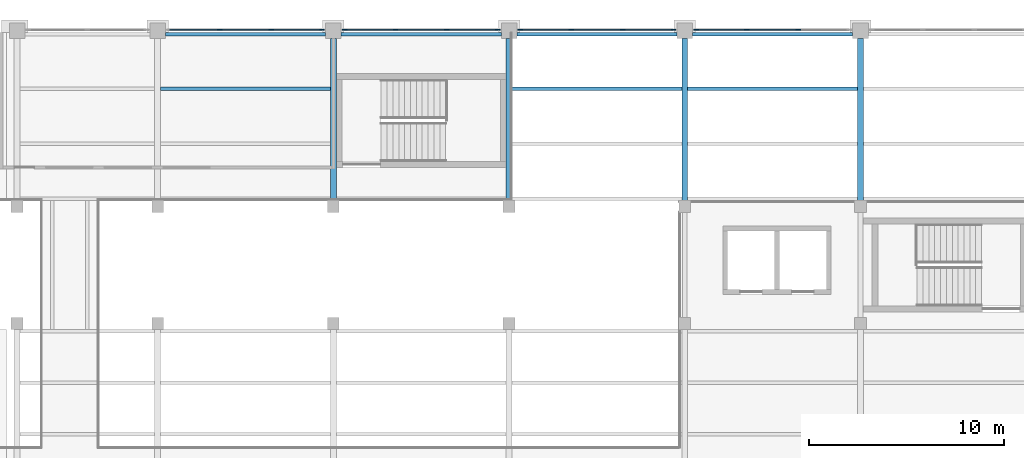
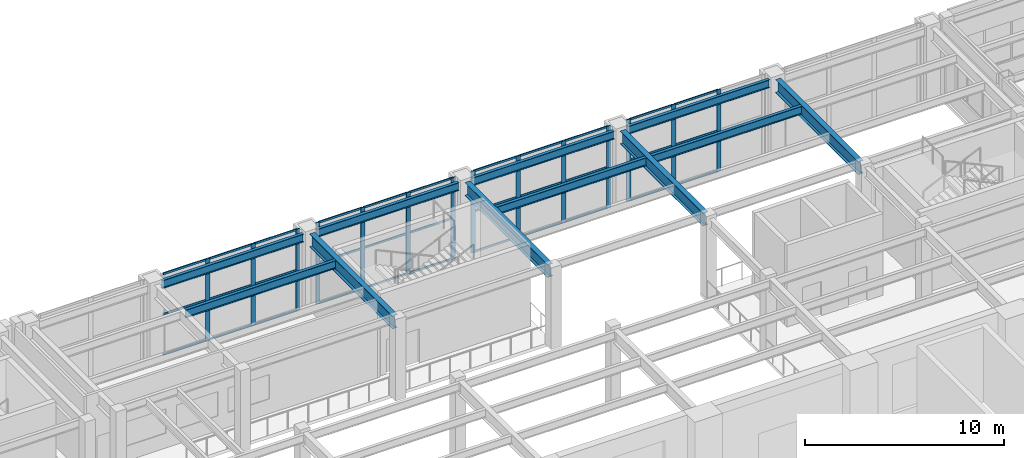
# One storey, part 25 of 76: 47 members, 11 beams, 4 elements without a shape of their own.
"""IFC4 building model written with IfcOpenShell, lengths in metres."""

from ifc_helpers import new_model, si_unit, direction, frame, origin, origin_2d, place, context, subcontext, project, spatial, rectangle, i_section, extrude, material, material_profile, profile_set, type_object, element, aggregate, save


model = new_model("IFC4")

# Units and contexts
model_context = context("Model", 3, precision=1e-05, world=origin(), true_north=direction((0.0, 1.0)))
body_context = subcontext(model_context, "Body", "Model", "MODEL_VIEW")
ifc_project = project(units=[si_unit("LENGTHUNIT", "METRE"), si_unit("AREAUNIT", "SQUARE_METRE"), si_unit("VOLUMEUNIT", "CUBIC_METRE"), si_unit("PLANEANGLEUNIT", "RADIAN"), si_unit("MASSUNIT", "GRAM", prefix="KILO")], contexts=[model_context])

# Site, building, storey
site_placement = place(None, origin())
site = spatial("IfcSite", under=ifc_project, at=site_placement, CompositionType="ELEMENT")
building_placement = place(site_placement, origin())
building = spatial("IfcBuilding", under=site, at=building_placement, Name="Aravalli Gate Trade Fair Centre", CompositionType="ELEMENT")
storey_placement = place(building_placement, frame((0.0, 0.0, 10.0)))
storey = spatial("IfcBuildingStorey", under=building, at=storey_placement, Name="L02", CompositionType="ELEMENT", Elevation=10.0)

# Curtain wall, members
ifc_material_1 = material(Name="Aluminium and glass", Category="aluminium")
curtain_wall_type = type_object("IfcCurtainWallType", Name="Curtain wall 3000 module, tall", PredefinedType="NOTDEFINED", material=ifc_material_1)
curtain_wall_1_placement = place(storey_placement, origin())
curtain_wall_1 = element("IfcCurtainWall", 1, at=curtain_wall_1_placement, inside=storey, type_object=curtain_wall_type, Name="Curtain wall north bay 14 L02", PredefinedType="NOTDEFINED")
ifc_material_2 = material(Name="Aluminium", Category="aluminium")
ifc_material_profile_1 = material_profile(ifc_material_2, rectangle(XDim=0.06005859375, YDim=0.25, at=origin_2d()), Name="Concourse curtain wall mullion 60 x 250")
ifc_profile_set_1 = profile_set([ifc_material_profile_1], Name="Aluminium")
member_type_1 = type_object("IfcMemberType", Name="Concourse curtain wall mullion 60 x 250", PredefinedType="MULLION", material=ifc_profile_set_1)
member_1_placement = place(storey_placement, frame((117.183349609375, 133.044921875, 0.0), z_axis=(0.0, 0.0, 1.0), x_axis=(0.0, 1.0, 0.0)))
member_1 = element("IfcMember", 2, at=member_1_placement, type_object=member_type_1, Name="CW3 mullion 2", PredefinedType="MULLION", context=body_context, shape_type="SweptSolid", body=[
    extrude(rectangle(XDim=0.06005859375, YDim=0.25, at=origin_2d()), origin(), (0.0, 0.0, 1.0), 5.0),
])
member_2_placement = place(storey_placement, frame((119.816650390625, 133.044921875, 0.0), z_axis=(0.0, 0.0, 1.0), x_axis=(0.0, 1.0, 0.0)))
member_2 = element("IfcMember", 3, at=member_2_placement, type_object=member_type_1, Name="CW3 mullion 3", PredefinedType="MULLION", context=body_context, shape_type="SweptSolid", body=[
    extrude(rectangle(XDim=0.06005859375, YDim=0.25, at=origin_2d()), origin(), (0.0, 0.0, 1.0), 5.0),
])
member_3_placement = place(storey_placement, frame((122.419921875, 133.044921875, 0.0), z_axis=(0.0, 0.0, 1.0), x_axis=(0.0, 1.0, 0.0)))
member_3 = element("IfcMember", 4, at=member_3_placement, type_object=member_type_1, Name="CW3 mullion 4", PredefinedType="MULLION", context=body_context, shape_type="SweptSolid", body=[
    extrude(rectangle(XDim=0.06005859375, YDim=0.25, at=origin_2d()), origin(), (0.0, 0.0, 1.0), 5.0),
])

curtain_wall_2_placement = place(storey_placement, origin())
curtain_wall_2 = element("IfcCurtainWall", 5, at=curtain_wall_2_placement, inside=storey, type_object=curtain_wall_type, Name="Curtain wall north bay 15 L02", PredefinedType="NOTDEFINED")
member_4_placement = place(storey_placement, frame((123.580078125, 133.044921875, 0.0), z_axis=(0.0, 0.0, 1.0), x_axis=(0.0, 1.0, 0.0)))
member_4 = element("IfcMember", 6, at=member_4_placement, type_object=member_type_1, Name="CW3 mullion 1", PredefinedType="MULLION", context=body_context, shape_type="SweptSolid", body=[
    extrude(rectangle(XDim=0.06005859375, YDim=0.25, at=origin_2d()), origin(), (0.0, 0.0, 1.0), 5.0),
])
member_5_placement = place(storey_placement, frame((126.183349609375, 133.044921875, 0.0), z_axis=(0.0, 0.0, 1.0), x_axis=(0.0, 1.0, 0.0)))
member_5 = element("IfcMember", 7, at=member_5_placement, type_object=member_type_1, Name="CW3 mullion 2", PredefinedType="MULLION", context=body_context, shape_type="SweptSolid", body=[
    extrude(rectangle(XDim=0.06005859375, YDim=0.25, at=origin_2d()), origin(), (0.0, 0.0, 1.0), 5.0),
])
member_6_placement = place(storey_placement, frame((128.816650390625, 133.044921875, 0.0), z_axis=(0.0, 0.0, 1.0), x_axis=(0.0, 1.0, 0.0)))
member_6 = element("IfcMember", 8, at=member_6_placement, type_object=member_type_1, Name="CW3 mullion 3", PredefinedType="MULLION", context=body_context, shape_type="SweptSolid", body=[
    extrude(rectangle(XDim=0.06005859375, YDim=0.25, at=origin_2d()), origin(), (0.0, 0.0, 1.0), 5.0),
])
member_7_placement = place(storey_placement, frame((131.419921875, 133.044921875, 0.0), z_axis=(0.0, 0.0, 1.0), x_axis=(0.0, 1.0, 0.0)))
member_7 = element("IfcMember", 9, at=member_7_placement, type_object=member_type_1, Name="CW3 mullion 4", PredefinedType="MULLION", context=body_context, shape_type="SweptSolid", body=[
    extrude(rectangle(XDim=0.06005859375, YDim=0.25, at=origin_2d()), origin(), (0.0, 0.0, 1.0), 5.0),
])

curtain_wall_3_placement = place(storey_placement, origin())
curtain_wall_3 = element("IfcCurtainWall", 10, at=curtain_wall_3_placement, inside=storey, type_object=curtain_wall_type, Name="Curtain wall north bay 16 L02", PredefinedType="NOTDEFINED")
member_8_placement = place(storey_placement, frame((132.580078125, 133.044921875, 0.0), z_axis=(0.0, 0.0, 1.0), x_axis=(0.0, 1.0, 0.0)))
member_8 = element("IfcMember", 11, at=member_8_placement, type_object=member_type_1, Name="CW3 mullion 1", PredefinedType="MULLION", context=body_context, shape_type="SweptSolid", body=[
    extrude(rectangle(XDim=0.06005859375, YDim=0.25, at=origin_2d()), origin(), (0.0, 0.0, 1.0), 5.0),
])
member_9_placement = place(storey_placement, frame((135.183349609375, 133.044921875, 0.0), z_axis=(0.0, 0.0, 1.0), x_axis=(0.0, 1.0, 0.0)))
member_9 = element("IfcMember", 12, at=member_9_placement, type_object=member_type_1, Name="CW3 mullion 2", PredefinedType="MULLION", context=body_context, shape_type="SweptSolid", body=[
    extrude(rectangle(XDim=0.06005859375, YDim=0.25, at=origin_2d()), origin(), (0.0, 0.0, 1.0), 5.0),
])
member_10_placement = place(storey_placement, frame((137.816650390625, 133.044921875, 0.0), z_axis=(0.0, 0.0, 1.0), x_axis=(0.0, 1.0, 0.0)))
member_10 = element("IfcMember", 13, at=member_10_placement, type_object=member_type_1, Name="CW3 mullion 3", PredefinedType="MULLION", context=body_context, shape_type="SweptSolid", body=[
    extrude(rectangle(XDim=0.06005859375, YDim=0.25, at=origin_2d()), origin(), (0.0, 0.0, 1.0), 5.0),
])
member_11_placement = place(storey_placement, frame((140.419921875, 133.044921875, 0.0), z_axis=(0.0, 0.0, 1.0), x_axis=(0.0, 1.0, 0.0)))
member_11 = element("IfcMember", 14, at=member_11_placement, type_object=member_type_1, Name="CW3 mullion 4", PredefinedType="MULLION", context=body_context, shape_type="SweptSolid", body=[
    extrude(rectangle(XDim=0.06005859375, YDim=0.25, at=origin_2d()), origin(), (0.0, 0.0, 1.0), 5.0),
])

curtain_wall_4_placement = place(storey_placement, origin())
curtain_wall_4 = element("IfcCurtainWall", 15, at=curtain_wall_4_placement, inside=storey, type_object=curtain_wall_type, Name="Curtain wall north bay 17 L02", PredefinedType="NOTDEFINED")
member_12_placement = place(storey_placement, frame((141.580078125, 133.044921875, 0.0), z_axis=(0.0, 0.0, 1.0), x_axis=(0.0, 1.0, 0.0)))
member_12 = element("IfcMember", 16, at=member_12_placement, type_object=member_type_1, Name="CW3 mullion 1", PredefinedType="MULLION", context=body_context, shape_type="SweptSolid", body=[
    extrude(rectangle(XDim=0.06005859375, YDim=0.25, at=origin_2d()), origin(), (0.0, 0.0, 1.0), 5.0),
])
member_13_placement = place(storey_placement, frame((144.183349609375, 133.044921875, 0.0), z_axis=(0.0, 0.0, 1.0), x_axis=(0.0, 1.0, 0.0)))
member_13 = element("IfcMember", 17, at=member_13_placement, type_object=member_type_1, Name="CW3 mullion 2", PredefinedType="MULLION", context=body_context, shape_type="SweptSolid", body=[
    extrude(rectangle(XDim=0.06005859375, YDim=0.25, at=origin_2d()), origin(), (0.0, 0.0, 1.0), 5.0),
])
member_14_placement = place(storey_placement, frame((146.816650390625, 133.044921875, 0.0), z_axis=(0.0, 0.0, 1.0), x_axis=(0.0, 1.0, 0.0)))
member_14 = element("IfcMember", 18, at=member_14_placement, type_object=member_type_1, Name="CW3 mullion 3", PredefinedType="MULLION", context=body_context, shape_type="SweptSolid", body=[
    extrude(rectangle(XDim=0.06005859375, YDim=0.25, at=origin_2d()), origin(), (0.0, 0.0, 1.0), 5.0),
])

# Member
ifc_material_profile_2 = material_profile(ifc_material_2, rectangle(XDim=0.06005859375, YDim=0.1201171875, at=origin_2d()), Name="Concourse curtain wall transom 60 x 120")
ifc_profile_set_2 = profile_set([ifc_material_profile_2], Name="Aluminium")
member_type_2 = type_object("IfcMemberType", Name="Concourse curtain wall transom 60 x 120", PredefinedType="USERDEFINED", material=ifc_profile_set_2)
member_15_placement = place(storey_placement, frame((114.610107421875, 133.044921875, 0.030029296875), z_axis=(1.0, 0.0, 0.0), x_axis=(0.0, 1.0, 0.0)))
member_15 = element("IfcMember", 19, at=member_15_placement, type_object=member_type_2, Name="CW3 transom 1.1", ObjectType="TRANSOM", PredefinedType="USERDEFINED", context=body_context, shape_type="SweptSolid", body=[
    extrude(rectangle(XDim=0.06005859375, YDim=0.1201171875, at=origin_2d()), origin(), (0.0, 0.0, 1.0), 2.543212890625),
])

member_16_placement = place(storey_placement, frame((114.610107421875, 133.044921875, 2.5), z_axis=(1.0, 0.0, 0.0), x_axis=(0.0, 1.0, 0.0)))
member_16 = element("IfcMember", 20, at=member_16_placement, type_object=member_type_2, Name="CW3 transom 1.2", ObjectType="TRANSOM", PredefinedType="USERDEFINED", context=body_context, shape_type="SweptSolid", body=[
    extrude(rectangle(XDim=0.06005859375, YDim=0.1201171875, at=origin_2d()), origin(), (0.0, 0.0, 1.0), 2.543212890625),
])

member_17_placement = place(storey_placement, frame((114.610107421875, 133.044921875, 4.969970703125), z_axis=(1.0, 0.0, 0.0), x_axis=(0.0, 1.0, 0.0)))
member_17 = element("IfcMember", 21, at=member_17_placement, type_object=member_type_2, Name="CW3 transom 1.3", ObjectType="TRANSOM", PredefinedType="USERDEFINED", context=body_context, shape_type="SweptSolid", body=[
    extrude(rectangle(XDim=0.06005859375, YDim=0.1201171875, at=origin_2d()), origin(), (0.0, 0.0, 1.0), 2.543212890625),
])

member_18_placement = place(storey_placement, frame((117.21337890625, 133.044921875, 0.030029296875), z_axis=(1.0, 0.0, 0.0), x_axis=(0.0, 1.0, 0.0)))
member_18 = element("IfcMember", 22, at=member_18_placement, type_object=member_type_2, Name="CW3 transom 2.1", ObjectType="TRANSOM", PredefinedType="USERDEFINED", context=body_context, shape_type="SweptSolid", body=[
    extrude(rectangle(XDim=0.06005859375, YDim=0.1201171875, at=origin_2d()), origin(), (0.0, 0.0, 1.0), 2.5732421875),
])

member_19_placement = place(storey_placement, frame((117.21337890625, 133.044921875, 2.5), z_axis=(1.0, 0.0, 0.0), x_axis=(0.0, 1.0, 0.0)))
member_19 = element("IfcMember", 23, at=member_19_placement, type_object=member_type_2, Name="CW3 transom 2.2", ObjectType="TRANSOM", PredefinedType="USERDEFINED", context=body_context, shape_type="SweptSolid", body=[
    extrude(rectangle(XDim=0.06005859375, YDim=0.1201171875, at=origin_2d()), origin(), (0.0, 0.0, 1.0), 2.5732421875),
])

member_20_placement = place(storey_placement, frame((117.21337890625, 133.044921875, 4.969970703125), z_axis=(1.0, 0.0, 0.0), x_axis=(0.0, 1.0, 0.0)))
member_20 = element("IfcMember", 24, at=member_20_placement, type_object=member_type_2, Name="CW3 transom 2.3", ObjectType="TRANSOM", PredefinedType="USERDEFINED", context=body_context, shape_type="SweptSolid", body=[
    extrude(rectangle(XDim=0.06005859375, YDim=0.1201171875, at=origin_2d()), origin(), (0.0, 0.0, 1.0), 2.5732421875),
])

member_21_placement = place(storey_placement, frame((119.8466796875, 133.044921875, 0.030029296875), z_axis=(1.0, 0.0, 0.0), x_axis=(0.0, 1.0, 0.0)))
member_21 = element("IfcMember", 25, at=member_21_placement, type_object=member_type_2, Name="CW3 transom 3.1", ObjectType="TRANSOM", PredefinedType="USERDEFINED", context=body_context, shape_type="SweptSolid", body=[
    extrude(rectangle(XDim=0.06005859375, YDim=0.1201171875, at=origin_2d()), origin(), (0.0, 0.0, 1.0), 2.543212890625),
])

member_22_placement = place(storey_placement, frame((119.8466796875, 133.044921875, 2.5), z_axis=(1.0, 0.0, 0.0), x_axis=(0.0, 1.0, 0.0)))
member_22 = element("IfcMember", 26, at=member_22_placement, type_object=member_type_2, Name="CW3 transom 3.2", ObjectType="TRANSOM", PredefinedType="USERDEFINED", context=body_context, shape_type="SweptSolid", body=[
    extrude(rectangle(XDim=0.06005859375, YDim=0.1201171875, at=origin_2d()), origin(), (0.0, 0.0, 1.0), 2.543212890625),
])

member_23_placement = place(storey_placement, frame((119.8466796875, 133.044921875, 4.969970703125), z_axis=(1.0, 0.0, 0.0), x_axis=(0.0, 1.0, 0.0)))
member_23 = element("IfcMember", 27, at=member_23_placement, type_object=member_type_2, Name="CW3 transom 3.3", ObjectType="TRANSOM", PredefinedType="USERDEFINED", context=body_context, shape_type="SweptSolid", body=[
    extrude(rectangle(XDim=0.06005859375, YDim=0.1201171875, at=origin_2d()), origin(), (0.0, 0.0, 1.0), 2.543212890625),
])

aggregate(curtain_wall_1, [member_1, member_2, member_3, member_15, member_16, member_17, member_18, member_19, member_20, member_21, member_22, member_23])

member_24_placement = place(storey_placement, frame((123.610107421875, 133.044921875, 0.030029296875), z_axis=(1.0, 0.0, 0.0), x_axis=(0.0, 1.0, 0.0)))
member_24 = element("IfcMember", 28, at=member_24_placement, type_object=member_type_2, Name="CW3 transom 1.1", ObjectType="TRANSOM", PredefinedType="USERDEFINED", context=body_context, shape_type="SweptSolid", body=[
    extrude(rectangle(XDim=0.06005859375, YDim=0.1201171875, at=origin_2d()), origin(), (0.0, 0.0, 1.0), 2.543212890625),
])

member_25_placement = place(storey_placement, frame((123.610107421875, 133.044921875, 2.5), z_axis=(1.0, 0.0, 0.0), x_axis=(0.0, 1.0, 0.0)))
member_25 = element("IfcMember", 29, at=member_25_placement, type_object=member_type_2, Name="CW3 transom 1.2", ObjectType="TRANSOM", PredefinedType="USERDEFINED", context=body_context, shape_type="SweptSolid", body=[
    extrude(rectangle(XDim=0.06005859375, YDim=0.1201171875, at=origin_2d()), origin(), (0.0, 0.0, 1.0), 2.543212890625),
])

member_26_placement = place(storey_placement, frame((123.610107421875, 133.044921875, 4.969970703125), z_axis=(1.0, 0.0, 0.0), x_axis=(0.0, 1.0, 0.0)))
member_26 = element("IfcMember", 30, at=member_26_placement, type_object=member_type_2, Name="CW3 transom 1.3", ObjectType="TRANSOM", PredefinedType="USERDEFINED", context=body_context, shape_type="SweptSolid", body=[
    extrude(rectangle(XDim=0.06005859375, YDim=0.1201171875, at=origin_2d()), origin(), (0.0, 0.0, 1.0), 2.543212890625),
])

member_27_placement = place(storey_placement, frame((126.21337890625, 133.044921875, 0.030029296875), z_axis=(1.0, 0.0, 0.0), x_axis=(0.0, 1.0, 0.0)))
member_27 = element("IfcMember", 31, at=member_27_placement, type_object=member_type_2, Name="CW3 transom 2.1", ObjectType="TRANSOM", PredefinedType="USERDEFINED", context=body_context, shape_type="SweptSolid", body=[
    extrude(rectangle(XDim=0.06005859375, YDim=0.1201171875, at=origin_2d()), origin(), (0.0, 0.0, 1.0), 2.5732421875),
])

member_28_placement = place(storey_placement, frame((126.21337890625, 133.044921875, 2.5), z_axis=(1.0, 0.0, 0.0), x_axis=(0.0, 1.0, 0.0)))
member_28 = element("IfcMember", 32, at=member_28_placement, type_object=member_type_2, Name="CW3 transom 2.2", ObjectType="TRANSOM", PredefinedType="USERDEFINED", context=body_context, shape_type="SweptSolid", body=[
    extrude(rectangle(XDim=0.06005859375, YDim=0.1201171875, at=origin_2d()), origin(), (0.0, 0.0, 1.0), 2.5732421875),
])

member_29_placement = place(storey_placement, frame((126.21337890625, 133.044921875, 4.969970703125), z_axis=(1.0, 0.0, 0.0), x_axis=(0.0, 1.0, 0.0)))
member_29 = element("IfcMember", 33, at=member_29_placement, type_object=member_type_2, Name="CW3 transom 2.3", ObjectType="TRANSOM", PredefinedType="USERDEFINED", context=body_context, shape_type="SweptSolid", body=[
    extrude(rectangle(XDim=0.06005859375, YDim=0.1201171875, at=origin_2d()), origin(), (0.0, 0.0, 1.0), 2.5732421875),
])

member_30_placement = place(storey_placement, frame((128.8466796875, 133.044921875, 0.030029296875), z_axis=(1.0, 0.0, 0.0), x_axis=(0.0, 1.0, 0.0)))
member_30 = element("IfcMember", 34, at=member_30_placement, type_object=member_type_2, Name="CW3 transom 3.1", ObjectType="TRANSOM", PredefinedType="USERDEFINED", context=body_context, shape_type="SweptSolid", body=[
    extrude(rectangle(XDim=0.06005859375, YDim=0.1201171875, at=origin_2d()), origin(), (0.0, 0.0, 1.0), 2.543212890625),
])

member_31_placement = place(storey_placement, frame((128.8466796875, 133.044921875, 2.5), z_axis=(1.0, 0.0, 0.0), x_axis=(0.0, 1.0, 0.0)))
member_31 = element("IfcMember", 35, at=member_31_placement, type_object=member_type_2, Name="CW3 transom 3.2", ObjectType="TRANSOM", PredefinedType="USERDEFINED", context=body_context, shape_type="SweptSolid", body=[
    extrude(rectangle(XDim=0.06005859375, YDim=0.1201171875, at=origin_2d()), origin(), (0.0, 0.0, 1.0), 2.543212890625),
])

member_32_placement = place(storey_placement, frame((128.8466796875, 133.044921875, 4.969970703125), z_axis=(1.0, 0.0, 0.0), x_axis=(0.0, 1.0, 0.0)))
member_32 = element("IfcMember", 36, at=member_32_placement, type_object=member_type_2, Name="CW3 transom 3.3", ObjectType="TRANSOM", PredefinedType="USERDEFINED", context=body_context, shape_type="SweptSolid", body=[
    extrude(rectangle(XDim=0.06005859375, YDim=0.1201171875, at=origin_2d()), origin(), (0.0, 0.0, 1.0), 2.543212890625),
])

aggregate(curtain_wall_2, [member_4, member_5, member_6, member_7, member_24, member_25, member_26, member_27, member_28, member_29, member_30, member_31, member_32])

member_33_placement = place(storey_placement, frame((132.610107421875, 133.044921875, 0.030029296875), z_axis=(1.0, 0.0, 0.0), x_axis=(0.0, 1.0, 0.0)))
member_33 = element("IfcMember", 37, at=member_33_placement, type_object=member_type_2, Name="CW3 transom 1.1", ObjectType="TRANSOM", PredefinedType="USERDEFINED", context=body_context, shape_type="SweptSolid", body=[
    extrude(rectangle(XDim=0.06005859375, YDim=0.1201171875, at=origin_2d()), origin(), (0.0, 0.0, 1.0), 2.543212890625),
])

member_34_placement = place(storey_placement, frame((132.610107421875, 133.044921875, 2.5), z_axis=(1.0, 0.0, 0.0), x_axis=(0.0, 1.0, 0.0)))
member_34 = element("IfcMember", 38, at=member_34_placement, type_object=member_type_2, Name="CW3 transom 1.2", ObjectType="TRANSOM", PredefinedType="USERDEFINED", context=body_context, shape_type="SweptSolid", body=[
    extrude(rectangle(XDim=0.06005859375, YDim=0.1201171875, at=origin_2d()), origin(), (0.0, 0.0, 1.0), 2.543212890625),
])

member_35_placement = place(storey_placement, frame((132.610107421875, 133.044921875, 4.969970703125), z_axis=(1.0, 0.0, 0.0), x_axis=(0.0, 1.0, 0.0)))
member_35 = element("IfcMember", 39, at=member_35_placement, type_object=member_type_2, Name="CW3 transom 1.3", ObjectType="TRANSOM", PredefinedType="USERDEFINED", context=body_context, shape_type="SweptSolid", body=[
    extrude(rectangle(XDim=0.06005859375, YDim=0.1201171875, at=origin_2d()), origin(), (0.0, 0.0, 1.0), 2.543212890625),
])

member_36_placement = place(storey_placement, frame((135.21337890625, 133.044921875, 0.030029296875), z_axis=(1.0, 0.0, 0.0), x_axis=(0.0, 1.0, 0.0)))
member_36 = element("IfcMember", 40, at=member_36_placement, type_object=member_type_2, Name="CW3 transom 2.1", ObjectType="TRANSOM", PredefinedType="USERDEFINED", context=body_context, shape_type="SweptSolid", body=[
    extrude(rectangle(XDim=0.06005859375, YDim=0.1201171875, at=origin_2d()), origin(), (0.0, 0.0, 1.0), 2.5732421875),
])

member_37_placement = place(storey_placement, frame((135.21337890625, 133.044921875, 2.5), z_axis=(1.0, 0.0, 0.0), x_axis=(0.0, 1.0, 0.0)))
member_37 = element("IfcMember", 41, at=member_37_placement, type_object=member_type_2, Name="CW3 transom 2.2", ObjectType="TRANSOM", PredefinedType="USERDEFINED", context=body_context, shape_type="SweptSolid", body=[
    extrude(rectangle(XDim=0.06005859375, YDim=0.1201171875, at=origin_2d()), origin(), (0.0, 0.0, 1.0), 2.5732421875),
])

member_38_placement = place(storey_placement, frame((135.21337890625, 133.044921875, 4.969970703125), z_axis=(1.0, 0.0, 0.0), x_axis=(0.0, 1.0, 0.0)))
member_38 = element("IfcMember", 42, at=member_38_placement, type_object=member_type_2, Name="CW3 transom 2.3", ObjectType="TRANSOM", PredefinedType="USERDEFINED", context=body_context, shape_type="SweptSolid", body=[
    extrude(rectangle(XDim=0.06005859375, YDim=0.1201171875, at=origin_2d()), origin(), (0.0, 0.0, 1.0), 2.5732421875),
])

member_39_placement = place(storey_placement, frame((137.8466796875, 133.044921875, 0.030029296875), z_axis=(1.0, 0.0, 0.0), x_axis=(0.0, 1.0, 0.0)))
member_39 = element("IfcMember", 43, at=member_39_placement, type_object=member_type_2, Name="CW3 transom 3.1", ObjectType="TRANSOM", PredefinedType="USERDEFINED", context=body_context, shape_type="SweptSolid", body=[
    extrude(rectangle(XDim=0.06005859375, YDim=0.1201171875, at=origin_2d()), origin(), (0.0, 0.0, 1.0), 2.543212890625),
])

member_40_placement = place(storey_placement, frame((137.8466796875, 133.044921875, 2.5), z_axis=(1.0, 0.0, 0.0), x_axis=(0.0, 1.0, 0.0)))
member_40 = element("IfcMember", 44, at=member_40_placement, type_object=member_type_2, Name="CW3 transom 3.2", ObjectType="TRANSOM", PredefinedType="USERDEFINED", context=body_context, shape_type="SweptSolid", body=[
    extrude(rectangle(XDim=0.06005859375, YDim=0.1201171875, at=origin_2d()), origin(), (0.0, 0.0, 1.0), 2.543212890625),
])

member_41_placement = place(storey_placement, frame((137.8466796875, 133.044921875, 4.969970703125), z_axis=(1.0, 0.0, 0.0), x_axis=(0.0, 1.0, 0.0)))
member_41 = element("IfcMember", 45, at=member_41_placement, type_object=member_type_2, Name="CW3 transom 3.3", ObjectType="TRANSOM", PredefinedType="USERDEFINED", context=body_context, shape_type="SweptSolid", body=[
    extrude(rectangle(XDim=0.06005859375, YDim=0.1201171875, at=origin_2d()), origin(), (0.0, 0.0, 1.0), 2.543212890625),
])

aggregate(curtain_wall_3, [member_8, member_9, member_10, member_11, member_33, member_34, member_35, member_36, member_37, member_38, member_39, member_40, member_41])

member_42_placement = place(storey_placement, frame((141.610107421875, 133.044921875, 0.030029296875), z_axis=(1.0, 0.0, 0.0), x_axis=(0.0, 1.0, 0.0)))
member_42 = element("IfcMember", 46, at=member_42_placement, type_object=member_type_2, Name="CW3 transom 1.1", ObjectType="TRANSOM", PredefinedType="USERDEFINED", context=body_context, shape_type="SweptSolid", body=[
    extrude(rectangle(XDim=0.06005859375, YDim=0.1201171875, at=origin_2d()), origin(), (0.0, 0.0, 1.0), 2.543212890625),
])

member_43_placement = place(storey_placement, frame((141.610107421875, 133.044921875, 2.5), z_axis=(1.0, 0.0, 0.0), x_axis=(0.0, 1.0, 0.0)))
member_43 = element("IfcMember", 47, at=member_43_placement, type_object=member_type_2, Name="CW3 transom 1.2", ObjectType="TRANSOM", PredefinedType="USERDEFINED", context=body_context, shape_type="SweptSolid", body=[
    extrude(rectangle(XDim=0.06005859375, YDim=0.1201171875, at=origin_2d()), origin(), (0.0, 0.0, 1.0), 2.543212890625),
])

member_44_placement = place(storey_placement, frame((141.610107421875, 133.044921875, 4.969970703125), z_axis=(1.0, 0.0, 0.0), x_axis=(0.0, 1.0, 0.0)))
member_44 = element("IfcMember", 48, at=member_44_placement, type_object=member_type_2, Name="CW3 transom 1.3", ObjectType="TRANSOM", PredefinedType="USERDEFINED", context=body_context, shape_type="SweptSolid", body=[
    extrude(rectangle(XDim=0.06005859375, YDim=0.1201171875, at=origin_2d()), origin(), (0.0, 0.0, 1.0), 2.543212890625),
])

member_45_placement = place(storey_placement, frame((144.21337890625, 133.044921875, 0.030029296875), z_axis=(1.0, 0.0, 0.0), x_axis=(0.0, 1.0, 0.0)))
member_45 = element("IfcMember", 49, at=member_45_placement, type_object=member_type_2, Name="CW3 transom 2.1", ObjectType="TRANSOM", PredefinedType="USERDEFINED", context=body_context, shape_type="SweptSolid", body=[
    extrude(rectangle(XDim=0.06005859375, YDim=0.1201171875, at=origin_2d()), origin(), (0.0, 0.0, 1.0), 2.5732421875),
])

member_46_placement = place(storey_placement, frame((144.21337890625, 133.044921875, 2.5), z_axis=(1.0, 0.0, 0.0), x_axis=(0.0, 1.0, 0.0)))
member_46 = element("IfcMember", 50, at=member_46_placement, type_object=member_type_2, Name="CW3 transom 2.2", ObjectType="TRANSOM", PredefinedType="USERDEFINED", context=body_context, shape_type="SweptSolid", body=[
    extrude(rectangle(XDim=0.06005859375, YDim=0.1201171875, at=origin_2d()), origin(), (0.0, 0.0, 1.0), 2.5732421875),
])

member_47_placement = place(storey_placement, frame((144.21337890625, 133.044921875, 4.969970703125), z_axis=(1.0, 0.0, 0.0), x_axis=(0.0, 1.0, 0.0)))
member_47 = element("IfcMember", 51, at=member_47_placement, type_object=member_type_2, Name="CW3 transom 2.3", ObjectType="TRANSOM", PredefinedType="USERDEFINED", context=body_context, shape_type="SweptSolid", body=[
    extrude(rectangle(XDim=0.06005859375, YDim=0.1201171875, at=origin_2d()), origin(), (0.0, 0.0, 1.0), 2.5732421875),
])

aggregate(curtain_wall_4, [member_12, member_13, member_14, member_42, member_43, member_44, member_45, member_46, member_47])

# Beams
ifc_material_3 = material(Name="Steel E350", Category="steel")
ifc_material_profile_3 = material_profile(ifc_material_3, i_section(OverallWidth=0.179931640625, OverallDepth=0.5, WebThickness=0.01025390625, FlangeThickness=0.01708984375, at=origin_2d()), Name="ISMB 500")
ifc_profile_set_3 = profile_set([ifc_material_profile_3], Name="Steel E350")
beam_type_1 = type_object("IfcBeamType", Name="ISMB 500 gallery secondary beam", PredefinedType="JOIST", material=ifc_profile_set_3)
beam_1_placement = place(storey_placement, frame((114.14990234375, 130.0166015625, 4.550048828125), z_axis=(1.0, 0.0, 0.0), x_axis=(0.0, 1.0, 0.0)))
element("IfcBeam", 52, at=beam_1_placement, inside=storey, type_object=beam_type_1, Name="Gallery beam N6 13-14 L03", PredefinedType="JOIST", context=body_context, shape_type="SweptSolid", body=[
    extrude(i_section(OverallWidth=0.179931640625, OverallDepth=0.5, WebThickness=0.01025390625, FlangeThickness=0.01708984375, at=origin_2d()), origin(), (0.0, 0.0, 1.0), 8.7001953125),
])
for number, where, z_axis, x_axis, name in (
    (53, (114.39990234375, 132.830078125, 4.550048828125), (1.0, 0.0, 0.0), (0.0, 1.0, 0.0), "Gallery beam N7 13-14 L03"),
    (54, (123.39990234375, 132.830078125, 4.550048828125), (1.0, 0.0, 0.0), (0.0, 1.0, 0.0), "Gallery beam N7 14-15 L03"),
):
    element("IfcBeam", number, at=place(storey_placement, frame(where, z_axis=z_axis, x_axis=x_axis)), inside=storey, type_object=beam_type_1, Name=name, PredefinedType="JOIST", context=body_context, shape_type="SweptSolid", body=[
        extrude(i_section(OverallWidth=0.179931640625, OverallDepth=0.5, WebThickness=0.01025390625, FlangeThickness=0.01708984375, at=origin_2d()), origin(), (0.0, 0.0, 1.0), 8.2001953125),
    ])
beam_2_placement = place(storey_placement, frame((132.14990234375, 130.0166015625, 4.550048828125), z_axis=(1.0, 0.0, 0.0), x_axis=(0.0, 1.0, 0.0)))
element("IfcBeam", 55, at=beam_2_placement, inside=storey, type_object=beam_type_1, Name="Gallery beam N6 15-16 L03", PredefinedType="JOIST", context=body_context, shape_type="SweptSolid", body=[
    extrude(i_section(OverallWidth=0.179931640625, OverallDepth=0.5, WebThickness=0.01025390625, FlangeThickness=0.01708984375, at=origin_2d()), origin(), (0.0, 0.0, 1.0), 8.7001953125),
])
beam_3_placement = place(storey_placement, frame((132.39990234375, 132.830078125, 4.550048828125), z_axis=(1.0, 0.0, 0.0), x_axis=(0.0, 1.0, 0.0)))
element("IfcBeam", 56, at=beam_3_placement, inside=storey, type_object=beam_type_1, Name="Gallery beam N7 15-16 L03", PredefinedType="JOIST", context=body_context, shape_type="SweptSolid", body=[
    extrude(i_section(OverallWidth=0.179931640625, OverallDepth=0.5, WebThickness=0.01025390625, FlangeThickness=0.01708984375, at=origin_2d()), origin(), (0.0, 0.0, 1.0), 8.2001953125),
])
beam_4_placement = place(storey_placement, frame((141.14990234375, 130.0166015625, 4.550048828125), z_axis=(1.0, 0.0, 0.0), x_axis=(0.0, 1.0, 0.0)))
element("IfcBeam", 57, at=beam_4_placement, inside=storey, type_object=beam_type_1, Name="Gallery beam N6 16-17 L03", PredefinedType="JOIST", context=body_context, shape_type="SweptSolid", body=[
    extrude(i_section(OverallWidth=0.179931640625, OverallDepth=0.5, WebThickness=0.01025390625, FlangeThickness=0.01708984375, at=origin_2d()), origin(), (0.0, 0.0, 1.0), 8.7001953125),
])
beam_5_placement = place(storey_placement, frame((141.39990234375, 132.830078125, 4.550048828125), z_axis=(1.0, 0.0, 0.0), x_axis=(0.0, 1.0, 0.0)))
element("IfcBeam", 58, at=beam_5_placement, inside=storey, type_object=beam_type_1, Name="Gallery beam N7 16-17 L03", PredefinedType="JOIST", context=body_context, shape_type="SweptSolid", body=[
    extrude(i_section(OverallWidth=0.179931640625, OverallDepth=0.5, WebThickness=0.01025390625, FlangeThickness=0.01708984375, at=origin_2d()), origin(), (0.0, 0.0, 1.0), 8.2001953125),
])
ifc_material_profile_4 = material_profile(ifc_material_3, i_section(OverallWidth=0.300048828125, OverallDepth=0.800048828125, WebThickness=0.011962890625, FlangeThickness=0.02490234375, at=origin_2d()), Name="PG 800x300x12x25")
ifc_profile_set_4 = profile_set([ifc_material_profile_4], Name="Steel E350")
beam_type_2 = type_object("IfcBeamType", Name="PG 800x300x12x25 gallery plate girder", PredefinedType="BEAM", material=ifc_profile_set_4)
for number, where, z_axis, x_axis, name in (
    (59, (123.0, 124.300048828125, 4.39990234375), (0.0, 1.0, 0.0), (-1.0, 0.0, 0.0), "Gallery girder N14 L03"),
    (60, (132.0, 124.300048828125, 4.39990234375), (0.0, 1.0, 0.0), (-1.0, 0.0, 0.0), "Gallery girder N15 L03"),
    (61, (141.0, 124.300048828125, 4.39990234375), (0.0, 1.0, 0.0), (-1.0, 0.0, 0.0), "Gallery girder N16 L03"),
    (62, (150.0, 124.300048828125, 4.39990234375), (0.0, 1.0, 0.0), (-1.0, 0.0, 0.0), "Gallery girder N17 L03"),
):
    element("IfcBeam", number, at=place(storey_placement, frame(where, z_axis=z_axis, x_axis=x_axis)), inside=storey, type_object=beam_type_2, Name=name, PredefinedType="BEAM", context=body_context, shape_type="SweptSolid", body=[
        extrude(i_section(OverallWidth=0.300048828125, OverallDepth=0.800048828125, WebThickness=0.011962890625, FlangeThickness=0.02490234375, at=origin_2d()), origin(), (0.0, 0.0, 1.0), 8.300048828125),
    ])

save(model, "model.ifc")
